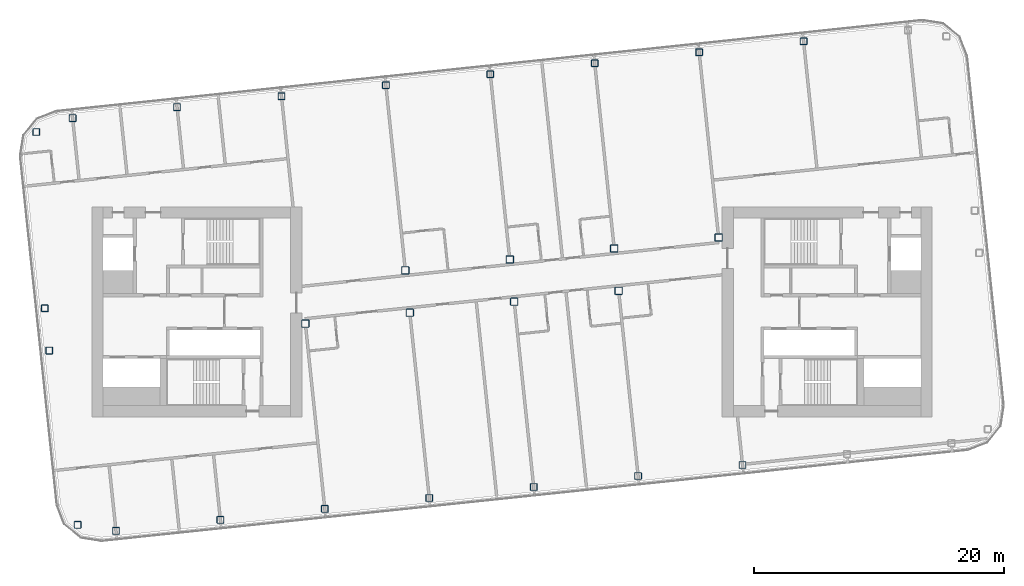
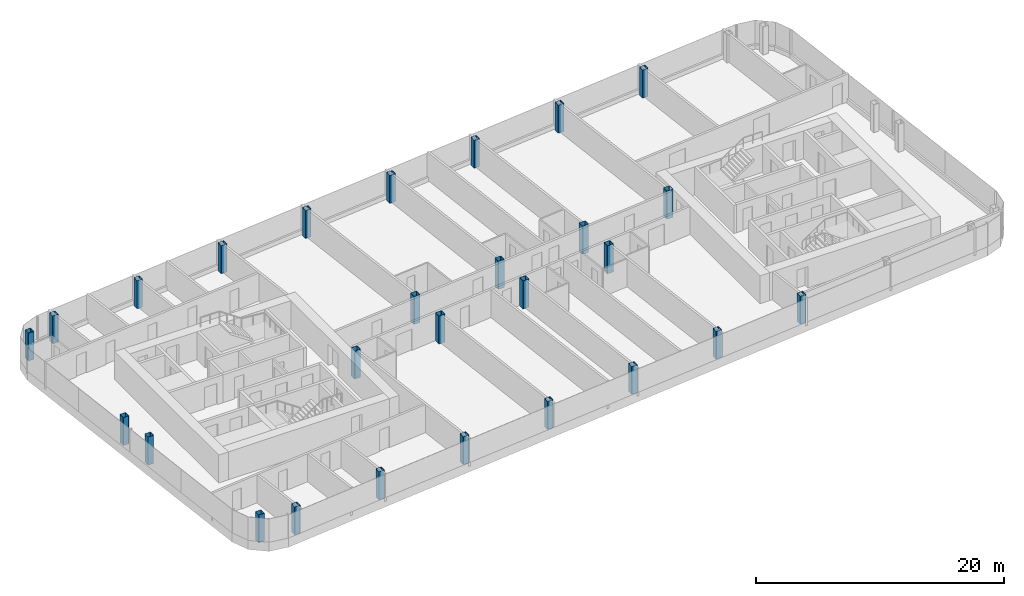
# One storey, part 1 of 27: 27 columns.
"""IFC4 building model written with IfcOpenShell, lengths in metres."""

from ifc_helpers import new_model, si_unit, direction, frame, origin, origin_2d, place, context, subcontext, project, spatial, hollow_rectangle, extrude, material, material_profile, profile_set, type_object, element, save


model = new_model("IFC4")

# Units and contexts
model_context = context("Model", 3, precision=1e-05, world=origin(), true_north=direction((0.0, 1.0)))
body_context = subcontext(model_context, "Body", "Model", "MODEL_VIEW")
ifc_project = project(units=[si_unit("LENGTHUNIT", "METRE"), si_unit("AREAUNIT", "SQUARE_METRE"), si_unit("VOLUMEUNIT", "CUBIC_METRE"), si_unit("PLANEANGLEUNIT", "RADIAN"), si_unit("MASSUNIT", "GRAM", prefix="KILO")], contexts=[model_context])

# Site, building, storey
site_placement = place(None, origin())
site = spatial("IfcSite", under=ifc_project, at=site_placement, CompositionType="ELEMENT")
building_placement = place(site_placement, origin())
building = spatial("IfcBuilding", under=site, at=building_placement, Name="Hakoniwa Tower and Hamabe Station Hall", CompositionType="ELEMENT")
storey_placement = place(building_placement, frame((0.0, 0.0, 248.60009765625)))
storey = spatial("IfcBuildingStorey", under=building, at=storey_placement, Name="L70", CompositionType="ELEMENT", Elevation=248.60009765625)

# Columns
ifc_material_1 = material(Name="Steel BCP325", Category="steel")
ifc_material_profile_1 = material_profile(ifc_material_1, hollow_rectangle(XDim=0.550048828125, YDim=0.550048828125, WallThickness=0.02197265625, InnerFilletRadius=0.032958984375, OuterFilletRadius=0.054931640625, at=origin_2d()), Name="BCP-550x550x22")
ifc_profile_set_1 = profile_set([ifc_material_profile_1], Name="Steel BCP325")
column_type_1 = type_object("IfcColumnType", Name="COLUMN BCP-550x550x22", PredefinedType="COLUMN", material=ifc_profile_set_1)
for number, where, z_axis, x_axis, name in (
    (1, (-34.750732421875, -17.04248046875, 0.0), (0.0, 0.0, 1.0), (1.0, 0.0, 0.0), "Column B5-EW-A5"),
    (2, (-37.017333984375, -3.10009765625, 0.0), (0.0, 0.0, 1.0), (1.0, 0.0, 0.0), "Column B5-EW-C5"),
    (3, (-37.372802734375, 0.28125, 0.0), (0.0, 0.0, 1.0), (1.0, 0.0, 0.0), "Column B5-EW-D5"),
    (4, (-38.054443359375, 14.390380859375, 0.0), (0.0, 0.0, 1.0), (1.0, 0.0, 0.0), "Column B5-EW-F5"),
    (5, (-31.680908203125, -17.521240234375, 0.0), (0.0, 0.0, 1.0), (1.0, 0.0, 0.0), "Column B5-3-A5"),
    (6, (-35.151123046875, 15.496826171875, 0.0), (0.0, 0.0, 1.0), (1.0, 0.0, 0.0), "Column B5-3-F5"),
    (7, (-23.326904296875, -16.643310546875, 0.0), (0.0, 0.0, 1.0), (1.0, 0.0, 0.0), "Column B5-4-A5"),
    (8, (-26.797119140625, 16.375, 0.0), (0.0, 0.0, 1.0), (1.0, 0.0, 0.0), "Column B5-4-F5"),
    (9, (-14.972900390625, -15.76513671875, 0.0), (0.0, 0.0, 1.0), (1.0, 0.0, 0.0), "Column B5-5-A5"),
    (10, (-18.443115234375, 17.2529296875, 0.0), (0.0, 0.0, 1.0), (1.0, 0.0, 0.0), "Column B5-5-F5"),
    (11, (-6.618896484375, -14.88720703125, 0.0), (0.0, 0.0, 1.0), (1.0, 0.0, 0.0), "Column B5-6-A5"),
    (12, (-10.089111328125, 18.131103515625, 0.0), (0.0, 0.0, 1.0), (1.0, 0.0, 0.0), "Column B5-6-F5"),
    (13, (1.735107421875, -14.009033203125, 0.0), (0.0, 0.0, 1.0), (1.0, 0.0, 0.0), "Column B5-7-A5"),
    (14, (-1.735107421875, 19.009033203125, 0.0), (0.0, 0.0, 1.0), (1.0, 0.0, 0.0), "Column B5-7-F5"),
    (15, (10.089111328125, -13.131103515625, 0.0), (0.0, 0.0, 1.0), (1.0, 0.0, 0.0), "Column B5-8-A5"),
    (16, (6.618896484375, 19.88720703125, 0.0), (0.0, 0.0, 1.0), (1.0, 0.0, 0.0), "Column B5-8-F5"),
    (17, (18.443115234375, -12.2529296875, 0.0), (0.0, 0.0, 1.0), (1.0, 0.0, 0.0), "Column B5-9-A5"),
    (18, (14.972900390625, 20.76513671875, 0.0), (0.0, 0.0, 1.0), (1.0, 0.0, 0.0), "Column B5-9-F5"),
    (19, (23.326904296875, 21.643310546875, 0.0), (0.0, 0.0, 1.0), (1.0, 0.0, 0.0), "Column B5-10-F5"),
):
    element("IfcColumn", number, at=place(storey_placement, frame(where, z_axis=z_axis, x_axis=x_axis)), inside=storey, type_object=column_type_1, Name=name, PredefinedType="COLUMN", context=body_context, shape_type="SweptSolid", body=[
        extrude(hollow_rectangle(XDim=0.550048828125, YDim=0.550048828125, WallThickness=0.02197265625, InnerFilletRadius=0.032958984375, OuterFilletRadius=0.054931640625, at=origin_2d()), origin(), (0.0, 0.0, 1.0), 2.75),
    ])
ifc_material_2 = material(Name="Steel BCP325", Category="steel")
ifc_material_profile_2 = material_profile(ifc_material_2, hollow_rectangle(XDim=0.60009765625, YDim=0.60009765625, WallThickness=0.02490234375, InnerFilletRadius=0.03759765625, OuterFilletRadius=0.0625, at=origin_2d()), Name="BCP-600x600x25")
ifc_profile_set_2 = profile_set([ifc_material_profile_2], Name="Steel BCP325")
column_type_2 = type_object("IfcColumnType", Name="COLUMN BCP-600x600x25", PredefinedType="COLUMN", material=ifc_profile_set_2)
for number, where, z_axis, x_axis, name in (
    (20, (-16.5302734375, -0.94677734375, 0.0), (0.0, 0.0, 1.0), (1.0, 0.0, 0.0), "Column B5-5-C5"),
    (21, (-8.17626953125, -0.068603515625, 0.0), (0.0, 0.0, 1.0), (1.0, 0.0, 0.0), "Column B5-6-C5"),
    (22, (-8.53173828125, 3.3125, 0.0), (0.0, 0.0, 1.0), (1.0, 0.0, 0.0), "Column B5-6-D5"),
    (23, (0.177734375, 0.809326171875, 0.0), (0.0, 0.0, 1.0), (1.0, 0.0, 0.0), "Column B5-7-C5"),
    (24, (-0.177734375, 4.190673828125, 0.0), (0.0, 0.0, 1.0), (1.0, 0.0, 0.0), "Column B5-7-D5"),
    (25, (8.53173828125, 1.6875, 0.0), (0.0, 0.0, 1.0), (1.0, 0.0, 0.0), "Column B5-8-C5"),
    (26, (8.17626953125, 5.068603515625, 0.0), (0.0, 0.0, 1.0), (1.0, 0.0, 0.0), "Column B5-8-D5"),
    (27, (16.5302734375, 5.94677734375, 0.0), (0.0, 0.0, 1.0), (1.0, 0.0, 0.0), "Column B5-9-D5"),
):
    element("IfcColumn", number, at=place(storey_placement, frame(where, z_axis=z_axis, x_axis=x_axis)), inside=storey, type_object=column_type_2, Name=name, PredefinedType="COLUMN", context=body_context, shape_type="SweptSolid", body=[
        extrude(hollow_rectangle(XDim=0.60009765625, YDim=0.60009765625, WallThickness=0.02490234375, InnerFilletRadius=0.03759765625, OuterFilletRadius=0.0625, at=origin_2d()), origin(), (0.0, 0.0, 1.0), 2.75),
    ])

save(model, "model.ifc")
